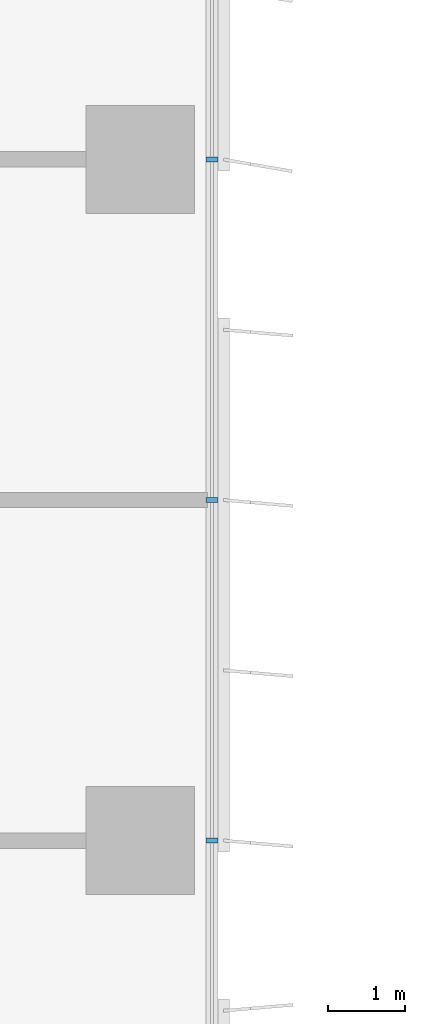
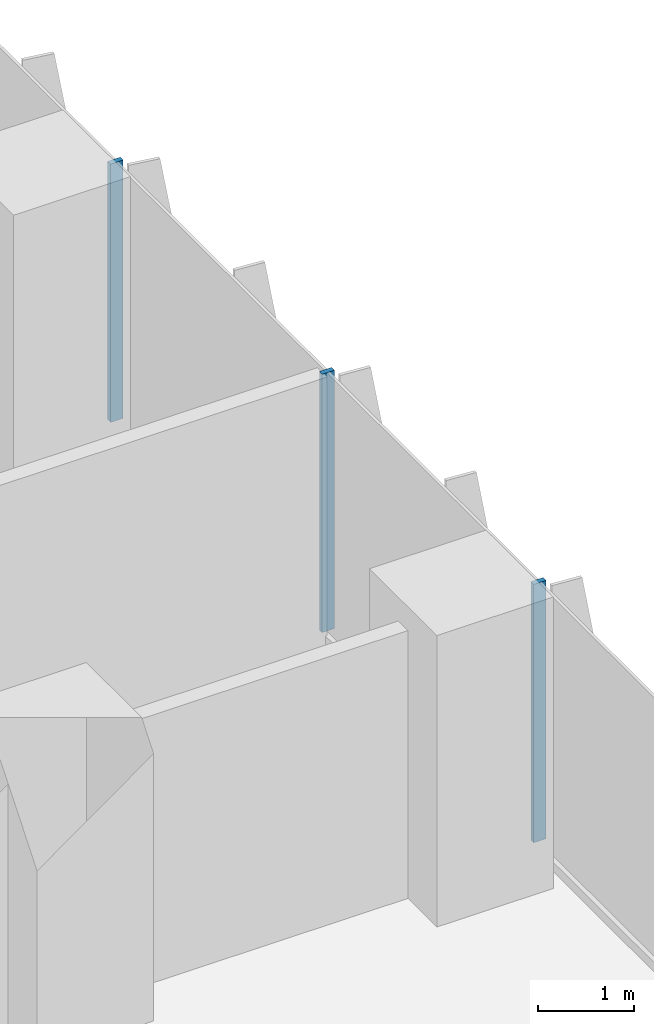
# One storey, part 7 of 24: 3 members, 1 element without a shape of its own.
"""IFC4 building model written with IfcOpenShell, lengths in metres."""

from ifc_helpers import new_model, si_unit, direction, frame, origin, origin_2d, place, context, subcontext, project, spatial, rectangle, extrude, source, transform, mapped, material, material_profile, profile_set, type_object, element, aggregate, save


model = new_model("IFC4")

# Units and contexts
model_context = context("Model", 3, precision=1e-05, world=origin(), true_north=direction((0.0, 1.0)))
body_context = subcontext(model_context, "Body", "Model", "MODEL_VIEW")
ifc_project = project(units=[si_unit("LENGTHUNIT", "METRE"), si_unit("AREAUNIT", "SQUARE_METRE"), si_unit("VOLUMEUNIT", "CUBIC_METRE"), si_unit("PLANEANGLEUNIT", "RADIAN"), si_unit("MASSUNIT", "GRAM", prefix="KILO")], contexts=[model_context])

# Site, building, storey
site_placement = place(None, origin())
site = spatial("IfcSite", under=ifc_project, at=site_placement, CompositionType="ELEMENT")
building_placement = place(site_placement, origin())
building = spatial("IfcBuilding", under=site, at=building_placement, Name="Kemantara Hotel Tower", CompositionType="ELEMENT")
storey_placement = place(building_placement, frame((0.0, 0.0, 63.60009765625)))
storey = spatial("IfcBuildingStorey", under=building, at=storey_placement, Name="L14", CompositionType="ELEMENT", Elevation=63.60009765625)

# Curtain wall, members
ifc_material_1 = material(Name="Low-E tinted double insulated glass 36 mm", Category="glass")
curtain_wall_type = type_object("IfcCurtainWallType", Name="TOWER CURTAIN WALL, FRONT FACES", PredefinedType="USERDEFINED", material=ifc_material_1)
curtain_wall_placement = place(storey_placement, origin())
curtain_wall = element("IfcCurtainWall", 1, at=curtain_wall_placement, inside=storey, type_object=curtain_wall_type, Name="CW4 L14 T1-R08-1", ObjectType="TOWER CURTAIN WALL, FRONT FACES", PredefinedType="USERDEFINED")
ifc_material_2 = material(Name="Aluminium 6063-T6 bronze anodised", Category="aluminium")
ifc_material_profile = material_profile(ifc_material_2, rectangle(XDim=0.14990234375, YDim=0.06005859375, at=origin_2d()), Name="TOWER CURTAIN WALL, FRONT FACES MULLION")
ifc_profile_set = profile_set([ifc_material_profile], Name="Aluminium 6063-T6 bronze anodised")
member_type = type_object("IfcMemberType", Name="TOWER CURTAIN WALL, FRONT FACES MULLION", PredefinedType="MULLION", material=ifc_profile_set)
shared_shape = source(origin(), body_context, "Body", "SweptSolid", [
    extrude(rectangle(XDim=0.14990234375, YDim=0.06005859375, at=origin_2d()), origin(), (0.0, 0.0, 1.0), 3.280029296875),
])
member_1_placement = place(storey_placement, frame((26.72509765625, 53.800048828125, 0.119873046875), z_axis=(0.0, 0.0, 1.0), x_axis=(-1.0, 0.0, 0.0)))
member_1 = element("IfcMember", 2, at=member_1_placement, type_object=member_type, Name="CW4 mullion T1-R08-1.8", PredefinedType="MULLION", context=body_context, shape_type="MappedRepresentation", body=[
    mapped(shared_shape, transform((0.0, 0.0, 0.0))),
])
member_2_placement = place(storey_placement, frame((26.72509765625, 58.199951171875, 0.119873046875), z_axis=(0.0, 0.0, 1.0), x_axis=(-1.0, 0.0, 0.0)))
member_2 = element("IfcMember", 3, at=member_2_placement, type_object=member_type, Name="CW4 mullion T1-R08-1.9", PredefinedType="MULLION", context=body_context, shape_type="MappedRepresentation", body=[
    mapped(shared_shape, transform((0.0, 0.0, 0.0))),
])
member_3_placement = place(storey_placement, frame((26.72509765625, 62.60009765625, 0.119873046875), z_axis=(0.0, 0.0, 1.0), x_axis=(-1.0, 0.0, 0.0)))
member_3 = element("IfcMember", 4, at=member_3_placement, type_object=member_type, Name="CW4 mullion T1-R08-1.10", PredefinedType="MULLION", context=body_context, shape_type="MappedRepresentation", body=[
    mapped(shared_shape, transform((0.0, 0.0, 0.0))),
])
aggregate(curtain_wall, [member_1, member_2, member_3])

save(model, "model.ifc")
